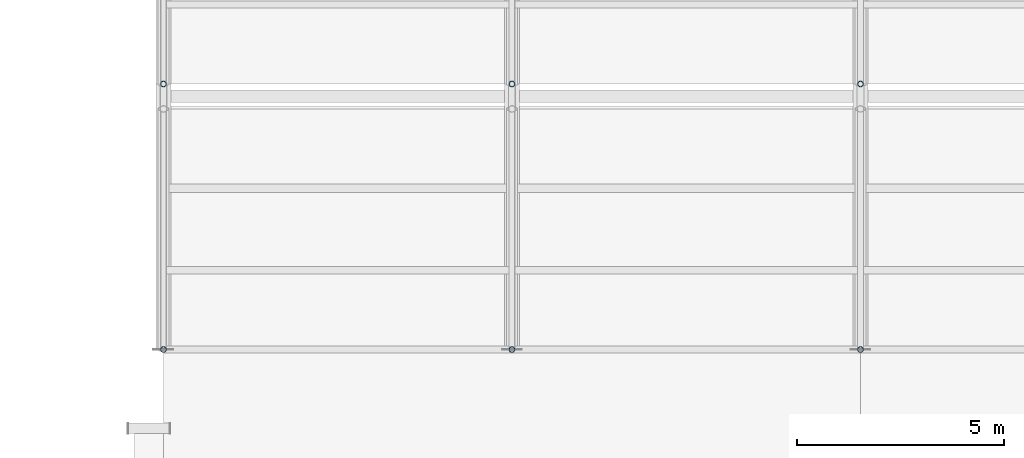
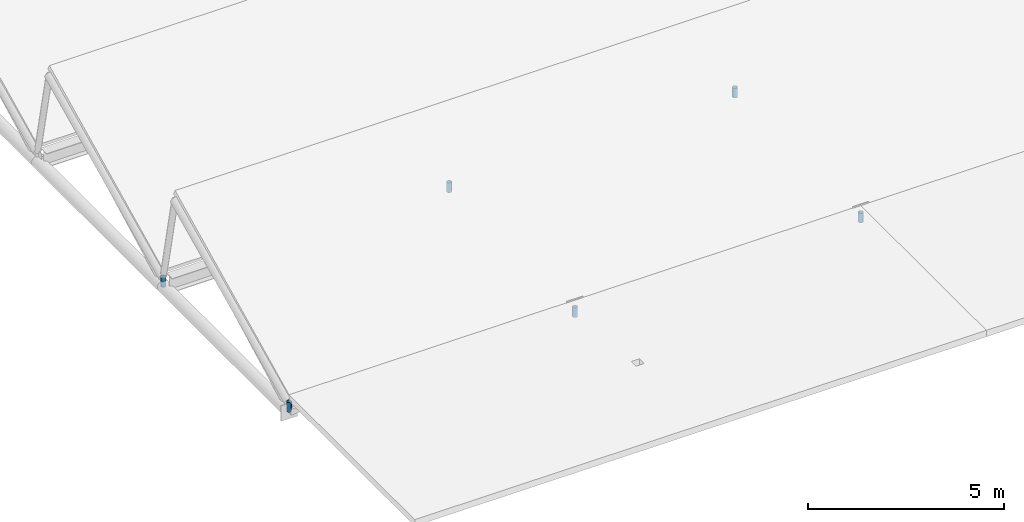
# One storey, part 117 of 194: 6 members.
"""IFC4 building model written with IfcOpenShell, lengths in metres."""

from ifc_helpers import new_model, si_unit, direction, frame, origin, origin_2d, place, context, subcontext, project, spatial, hollow_circle, extrude, material, material_profile, profile_set, type_object, element, save


model = new_model("IFC4")

# Units and contexts
model_context = context("Model", 3, precision=1e-05, world=origin(), true_north=direction((0.0, 1.0)))
body_context = subcontext(model_context, "Body", "Model", "MODEL_VIEW")
ifc_project = project(units=[si_unit("LENGTHUNIT", "METRE"), si_unit("AREAUNIT", "SQUARE_METRE"), si_unit("VOLUMEUNIT", "CUBIC_METRE"), si_unit("PLANEANGLEUNIT", "RADIAN"), si_unit("MASSUNIT", "GRAM", prefix="KILO")], contexts=[model_context])

# Site, building, storey
site_placement = place(None, origin())
site = spatial("IfcSite", under=ifc_project, at=site_placement, CompositionType="ELEMENT")
building_placement = place(site_placement, origin())
building = spatial("IfcBuilding", under=site, at=building_placement, Name="Kazenagashi Tramway Depot", CompositionType="ELEMENT")
storey_placement = place(building_placement, frame((0.0, 0.0, 23.7)))
storey = spatial("IfcBuildingStorey", under=building, at=storey_placement, Name="ROOF", CompositionType="ELEMENT", Elevation=23.7)

# Members
ifc_material = material(Name="Steel STK490", Category="steel")
ifc_material_profile = material_profile(ifc_material, hollow_circle(Radius=0.0699, WallThickness=0.0066, at=origin_2d()), Name="CHS-139.8x6.6")
ifc_profile_set = profile_set([ifc_material_profile], Name="Steel STK490")
member_type = type_object("IfcMemberType", Name="TS-02", PredefinedType="STRUT", material=ifc_profile_set)
for number, where, z_axis, x_axis, name in (
    (1, (44.8, 22.9, -8.9), (0.0, 0.0, 1.0), (1.0, 0.0, 0.0), "Roof Truss TS-02 MEM-1151"),
    (2, (44.8, 29.3, -8.9), (0.0, 0.0, 1.0), (1.0, 0.0, 0.0), "Roof Truss TS-02 MEM-1156"),
    (3, (53.2, 22.9, -8.9), (0.0, 0.0, 1.0), (1.0, 0.0, 0.0), "Roof Truss TS-02 MEM-1180"),
    (4, (53.2, 29.3, -8.9), (0.0, 0.0, 1.0), (1.0, 0.0, 0.0), "Roof Truss TS-02 MEM-1185"),
    (5, (61.6, 22.9, -8.9), (0.0, 0.0, 1.0), (1.0, 0.0, 0.0), "Roof Truss TS-02 MEM-1209"),
    (6, (61.6, 29.3, -8.9), (0.0, 0.0, 1.0), (1.0, 0.0, 0.0), "Roof Truss TS-02 MEM-1214"),
):
    element("IfcMember", number, at=place(storey_placement, frame(where, z_axis=z_axis, x_axis=x_axis)), inside=storey, type_object=member_type, Name=name, PredefinedType="STRUT", context=body_context, shape_type="SweptSolid", body=[
        extrude(hollow_circle(Radius=0.0699, WallThickness=0.0066, at=origin_2d()), origin(), (0.0, 0.0, 1.0), 0.3),
    ])

save(model, "model.ifc")
